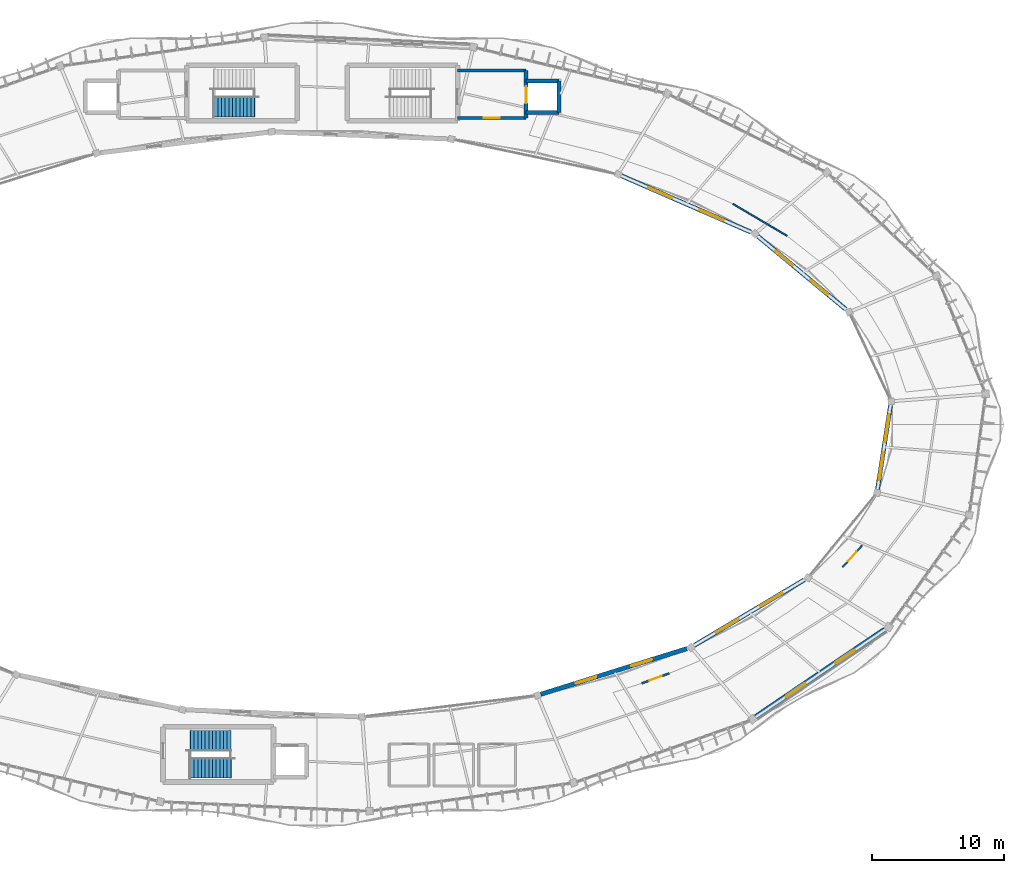
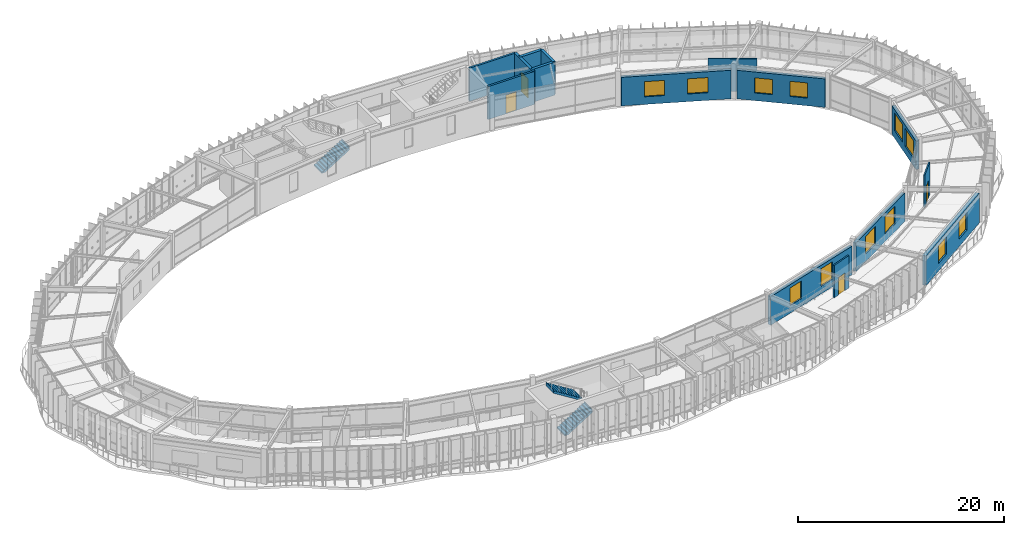
# One storey, part 69 of 79: 15 walls, 12 windows, 4 doors, 3 stair flights, 16 openings, 2 elements without a shape of their own.
"""IFC4 building model written with IfcOpenShell, lengths in metres."""

from ifc_helpers import new_model, si_unit, direction, frame, frame_2d, origin, place, context, subcontext, project, spatial, polyline, rectangle, outline, extrude, material, layer, layer_set, type_object, element, fill, aggregate, save


model = new_model("IFC4")

# Units and contexts
model_context = context("Model", 3, precision=1e-05, world=origin(), true_north=direction((0.0, 1.0)))
body_context = subcontext(model_context, "Body", "Model", "MODEL_VIEW")
ifc_project = project(units=[si_unit("LENGTHUNIT", "METRE"), si_unit("AREAUNIT", "SQUARE_METRE"), si_unit("VOLUMEUNIT", "CUBIC_METRE"), si_unit("PLANEANGLEUNIT", "RADIAN"), si_unit("MASSUNIT", "GRAM", prefix="KILO"), si_unit("THERMODYNAMICTEMPERATUREUNIT", "KELVIN"), si_unit("POWERUNIT", "WATT")], contexts=[model_context])

# Site, building, storey
site_placement = place(None, origin())
site = spatial("IfcSite", under=ifc_project, at=site_placement, CompositionType="ELEMENT")
building_placement = place(site_placement, origin())
building = spatial("IfcBuilding", under=site, at=building_placement, Name="Darbajah Civic Hall", CompositionType="ELEMENT")
storey_placement = place(building_placement, frame((0.0, 0.0, 22.199951171875)))
storey = spatial("IfcBuildingStorey", under=building, at=storey_placement, Name="L05", CompositionType="ELEMENT", Elevation=22.199951171875)

# Wall, opening, door
ifc_material_1 = material(Name="Concrete C45/55", Category="concrete")
ifc_layer_1 = layer(ifc_material_1, 0.300048828125, Name="Concrete C45/55")
ifc_layer_set_1 = layer_set([ifc_layer_1], Name="Concrete C45/55")
wall_type_1 = type_object("IfcWallType", Name="Core Shear Wall 300mm", PredefinedType="SHEAR", material=ifc_layer_set_1)
wall_1_placement = place(storey_placement, frame((105.0, 113.10009765625, 0.0), z_axis=(0.0, 0.0, 1.0), x_axis=(0.0, 1.0, 0.0)))
wall_1 = element("IfcWall", 1, at=wall_1_placement, inside=storey, type_object=wall_type_1, Name="L05 firefighting lobby C02 wall E", PredefinedType="SHEAR", context=body_context, shape_type="SweptSolid", body=[
    extrude(rectangle(XDim=3.599853515625, YDim=0.300048828125, at=frame_2d((1.7998046875, 0.0))), origin(), (0.0, 0.0, 1.0), 3.920166015625),
])
opening_1_placement = place(wall_1_placement, frame((1.10009765625, 0.0, 0.0)))
opening_1 = element("IfcOpeningElement", 2, at=opening_1_placement, cuts=wall_1, Name="Opening LD-0041", PredefinedType="OPENING", context=body_context, shape_type="SweptSolid", body=[
    extrude(rectangle(XDim=1.300048828125, YDim=2.300048828125, at=frame_2d((0.64990234375, 1.14990234375))), frame((0.0, 0.159912109375, 0.0), z_axis=(0.0, -1.0, 0.0), x_axis=(1.0, 0.0, 0.0)), (0.0, 0.0, 1.0), 0.320068359375),
])
ifc_material_2 = material(Name="Firefighting Lift Landing Door")
door_type_1 = type_object("IfcDoorType", Name="Lift Landing Door 1300x2300", OperationType="SLIDING_TO_LEFT", PredefinedType="DOOR", material=ifc_material_2)
door_1_placement = place(opening_1_placement, origin())
door_1 = element("IfcDoor", 3, at=door_1_placement, inside=storey, type_object=door_type_1, Name="L05 firefighting lift FL2 landing door LD-0041", OperationType="SLIDING_TO_LEFT", OverallHeight=2.300048828125, OverallWidth=1.300048828125, PredefinedType="DOOR", context=body_context, shape_type="SweptSolid", body=[
    extrude(rectangle(XDim=1.300048828125, YDim=2.300048828125, at=frame_2d((0.64990234375, 1.14990234375))), frame((0.0, 0.02490234375, 0.0), z_axis=(0.0, -1.0, 0.0), x_axis=(1.0, 0.0, 0.0)), (0.0, 0.0, 1.0), 0.050048828125),
])
fill(opening_1, door_1)

# Walls
for number, where, z_axis, x_axis, name in (
    (4, (107.5, 115.89990234375, 0.0), (0.0, 0.0, 1.0), (-1.0, 0.0, 0.0), "L05 lift FL2 shaft wall N"),
    (5, (105.0, 113.5, 0.0), (0.0, 0.0, 1.0), (1.0, 0.0, 0.0), "L05 lift FL2 shaft wall S"),
):
    element("IfcWall", number, at=place(storey_placement, frame(where, z_axis=z_axis, x_axis=x_axis)), inside=storey, type_object=wall_type_1, Name=name, PredefinedType="SHEAR", context=body_context, shape_type="SweptSolid", body=[
        extrude(rectangle(XDim=2.5, YDim=0.300048828125, at=frame_2d((1.25, 0.0))), origin(), (0.0, 0.0, 1.0), 3.920166015625),
    ])
wall_2_placement = place(storey_placement, frame((107.5, 113.5, 0.0), z_axis=(0.0, 0.0, 1.0), x_axis=(0.0, 1.0, 0.0)))
element("IfcWall", 6, at=wall_2_placement, inside=storey, type_object=wall_type_1, Name="L05 lift FL2 shaft wall OUT", PredefinedType="SHEAR", context=body_context, shape_type="SweptSolid", body=[
    extrude(rectangle(XDim=2.39990234375, YDim=0.300048828125, at=frame_2d((1.199951171875, 0.0))), origin(), (0.0, 0.0, 1.0), 3.920166015625),
])

# Wall, openings, windows
ifc_material_3 = material(Name="Qatari Desert Limestone Ashlar", Category="masonry")
ifc_layer_2 = layer(ifc_material_3, 0.340087890625, Name="Qatari Desert Limestone Ashlar")
ifc_layer_set_2 = layer_set([ifc_layer_2], Name="Qatari Desert Limestone Ashlar")
wall_type_2 = type_object("IfcWallType", Name="Exterior Wall 340mm", PredefinedType="SOLIDWALL", material=ifc_layer_set_2)
wall_3_placement = place(storey_placement, frame((129.3046875, 98.55078125, 0.0), z_axis=(0.0, 0.0, 1.0), x_axis=(-0.769161228706, 0.639054774066, 0.0)))
wall_3 = element("IfcWall", 7, at=wall_3_placement, inside=storey, type_object=wall_type_2, Name="L05 exterior wall EW-340", PredefinedType="SOLIDWALL", context=body_context, shape_type="SweptSolid", body=[
    extrude(rectangle(XDim=8.6787109375, YDim=0.340087890625, at=frame_2d((4.33935546875, 0.0))), origin(), (0.0, 0.0, 1.0), 3.386962890625),
])
opening_2_placement = place(wall_3_placement, frame((1.72607421875, 0.0, 0.89990234375)))
opening_2 = element("IfcOpeningElement", 8, at=opening_2_placement, cuts=wall_3, Name="Opening WN-20", PredefinedType="OPENING", context=body_context, shape_type="SweptSolid", body=[
    extrude(rectangle(XDim=1.75, YDim=1.800048828125, at=frame_2d((0.875, 0.89990234375))), frame((0.0, 0.179931640625, 0.0), z_axis=(0.0, -1.0, 0.0), x_axis=(1.0, 0.0, 0.0)), (0.0, 0.0, 1.0), 0.360107421875),
])
opening_3_placement = place(wall_3_placement, frame((5.202392578125, 0.0, 0.89990234375)))
opening_3 = element("IfcOpeningElement", 9, at=opening_3_placement, cuts=wall_3, Name="Opening WN-20", PredefinedType="OPENING", context=body_context, shape_type="SweptSolid", body=[
    extrude(rectangle(XDim=1.75, YDim=1.800048828125, at=frame_2d((0.875, 0.89990234375))), frame((0.0, 0.179931640625, 0.0), z_axis=(0.0, -1.0, 0.0), x_axis=(1.0, 0.0, 0.0)), (0.0, 0.0, 1.0), 0.360107421875),
])
ifc_material_4 = material(Name="Low-E Solar Control Double Glazing", Category="glass")
window_type_1 = type_object("IfcWindowType", Name="Facade Window 1750x1800", PartitioningType="DOUBLE_PANEL_VERTICAL", PredefinedType="WINDOW", material=ifc_material_4)
window_1_placement = place(opening_2_placement, origin())
window_1 = element("IfcWindow", 10, at=window_1_placement, inside=storey, type_object=window_type_1, Name="L05 facade window WN-20", OverallHeight=1.800048828125, OverallWidth=1.75, PartitioningType="SINGLE_PANEL", PredefinedType="WINDOW", context=body_context, shape_type="SweptSolid", body=[
    extrude(rectangle(XDim=1.75, YDim=1.800048828125, at=frame_2d((0.875, 0.89990234375))), frame((0.0, 0.030029296875, 0.0), z_axis=(0.0, -1.0, 0.0), x_axis=(1.0, 0.0, 0.0)), (0.0, 0.0, 1.0), 0.06005859375),
])
fill(opening_2, window_1)
window_2_placement = place(opening_3_placement, origin())
window_2 = element("IfcWindow", 11, at=window_2_placement, inside=storey, type_object=window_type_1, Name="L05 facade window WN-20", OverallHeight=1.800048828125, OverallWidth=1.75, PartitioningType="SINGLE_PANEL", PredefinedType="WINDOW", context=body_context, shape_type="SweptSolid", body=[
    extrude(rectangle(XDim=1.75, YDim=1.800048828125, at=frame_2d((0.875, 0.89990234375))), frame((0.0, 0.030029296875, 0.0), z_axis=(0.0, -1.0, 0.0), x_axis=(1.0, 0.0, 0.0)), (0.0, 0.0, 1.0), 0.06005859375),
])
fill(opening_3, window_2)

wall_4_placement = place(storey_placement, frame((122.097412109375, 104.416748046875, 0.0), z_axis=(0.0, 0.0, 1.0), x_axis=(-0.917052712132, 0.398766000522, 0.0)))
wall_4 = element("IfcWall", 12, at=wall_4_placement, inside=storey, type_object=wall_type_2, Name="L05 exterior wall EW-340", PredefinedType="SOLIDWALL", context=body_context, shape_type="SweptSolid", body=[
    extrude(rectangle(XDim=10.742431640625, YDim=0.340087890625, at=frame_2d((5.37109375, 0.0))), origin(), (0.0, 0.0, 1.0), 3.386962890625),
])
opening_4_placement = place(wall_4_placement, frame((2.247314453125, 0.0, 0.89990234375)))
opening_4 = element("IfcOpeningElement", 13, at=opening_4_placement, cuts=wall_4, Name="Opening WN-21", PredefinedType="OPENING", context=body_context, shape_type="SweptSolid", body=[
    extrude(rectangle(XDim=2.0, YDim=1.800048828125, at=frame_2d((1.0, 0.89990234375))), frame((0.0, 0.179931640625, 0.0), z_axis=(0.0, -1.0, 0.0), x_axis=(1.0, 0.0, 0.0)), (0.0, 0.0, 1.0), 0.360107421875),
])
opening_5_placement = place(wall_4_placement, frame((6.494873046875, 0.0, 0.89990234375)))
opening_5 = element("IfcOpeningElement", 14, at=opening_5_placement, cuts=wall_4, Name="Opening WN-21", PredefinedType="OPENING", context=body_context, shape_type="SweptSolid", body=[
    extrude(rectangle(XDim=2.0, YDim=1.800048828125, at=frame_2d((1.0, 0.89990234375))), frame((0.0, 0.179931640625, 0.0), z_axis=(0.0, -1.0, 0.0), x_axis=(1.0, 0.0, 0.0)), (0.0, 0.0, 1.0), 0.360107421875),
])
window_type_2 = type_object("IfcWindowType", Name="Facade Window 2000x1800", PartitioningType="DOUBLE_PANEL_VERTICAL", PredefinedType="WINDOW", material=ifc_material_4)
window_3_placement = place(opening_4_placement, origin())
window_3 = element("IfcWindow", 15, at=window_3_placement, inside=storey, type_object=window_type_2, Name="L05 facade window WN-21", OverallHeight=1.800048828125, OverallWidth=2.0, PartitioningType="SINGLE_PANEL", PredefinedType="WINDOW", context=body_context, shape_type="SweptSolid", body=[
    extrude(rectangle(XDim=2.0, YDim=1.800048828125, at=frame_2d((1.0, 0.89990234375))), frame((0.0, 0.030029296875, 0.0), z_axis=(0.0, -1.0, 0.0), x_axis=(1.0, 0.0, 0.0)), (0.0, 0.0, 1.0), 0.06005859375),
])
fill(opening_4, window_3)
window_4_placement = place(opening_5_placement, origin())
window_4 = element("IfcWindow", 16, at=window_4_placement, inside=storey, type_object=window_type_2, Name="L05 facade window WN-21", OverallHeight=1.800048828125, OverallWidth=2.0, PartitioningType="SINGLE_PANEL", PredefinedType="WINDOW", context=body_context, shape_type="SweptSolid", body=[
    extrude(rectangle(XDim=2.0, YDim=1.800048828125, at=frame_2d((1.0, 0.89990234375))), frame((0.0, 0.030029296875, 0.0), z_axis=(0.0, -1.0, 0.0), x_axis=(1.0, 0.0, 0.0)), (0.0, 0.0, 1.0), 0.06005859375),
])
fill(opening_5, window_4)

wall_5_placement = place(storey_placement, frame((106.12255859375, 69.279052734375, 0.0), z_axis=(0.0, 0.0, 1.0), x_axis=(0.95461987146, 0.297826964887, 0.0)))
wall_5 = element("IfcWall", 17, at=wall_5_placement, inside=storey, type_object=wall_type_2, Name="L05 exterior wall EW-340", PredefinedType="SOLIDWALL", context=body_context, shape_type="SweptSolid", body=[
    extrude(rectangle(XDim=11.63623046875, YDim=0.340087890625, at=frame_2d((5.818115234375, 0.0))), origin(), (0.0, 0.0, 1.0), 3.386962890625),
])
opening_6_placement = place(wall_5_placement, frame((2.77880859375, 0.0, 0.89990234375)))
opening_6 = element("IfcOpeningElement", 18, at=opening_6_placement, cuts=wall_5, Name="Opening WN-04", PredefinedType="OPENING", context=body_context, shape_type="SweptSolid", body=[
    extrude(rectangle(XDim=1.64990234375, YDim=2.10009765625, at=frame_2d((0.824951171875, 1.050048828125))), frame((0.0, 0.179931640625, 0.0), z_axis=(0.0, -1.0, 0.0), x_axis=(1.0, 0.0, 0.0)), (0.0, 0.0, 1.0), 0.360107421875),
])
opening_7_placement = place(wall_5_placement, frame((7.20751953125, 0.0, 0.89990234375)))
opening_7 = element("IfcOpeningElement", 19, at=opening_7_placement, cuts=wall_5, Name="Opening WN-04", PredefinedType="OPENING", context=body_context, shape_type="SweptSolid", body=[
    extrude(rectangle(XDim=1.64990234375, YDim=2.10009765625, at=frame_2d((0.824951171875, 1.050048828125))), frame((0.0, 0.179931640625, 0.0), z_axis=(0.0, -1.0, 0.0), x_axis=(1.0, 0.0, 0.0)), (0.0, 0.0, 1.0), 0.360107421875),
])
window_type_3 = type_object("IfcWindowType", Name="Facade Window 1650x2100", PartitioningType="DOUBLE_PANEL_VERTICAL", PredefinedType="WINDOW", material=ifc_material_4)
window_5_placement = place(opening_6_placement, origin())
window_5 = element("IfcWindow", 20, at=window_5_placement, inside=storey, type_object=window_type_3, Name="L05 facade window WN-04", OverallHeight=2.10009765625, OverallWidth=1.64990234375, PartitioningType="SINGLE_PANEL", PredefinedType="WINDOW", context=body_context, shape_type="SweptSolid", body=[
    extrude(rectangle(XDim=1.64990234375, YDim=2.10009765625, at=frame_2d((0.824951171875, 1.050048828125))), frame((0.0, 0.030029296875, 0.0), z_axis=(0.0, -1.0, 0.0), x_axis=(1.0, 0.0, 0.0)), (0.0, 0.0, 1.0), 0.06005859375),
])
fill(opening_6, window_5)
window_6_placement = place(opening_7_placement, origin())
window_6 = element("IfcWindow", 21, at=window_6_placement, inside=storey, type_object=window_type_3, Name="L05 facade window WN-04", OverallHeight=2.10009765625, OverallWidth=1.64990234375, PartitioningType="SINGLE_PANEL", PredefinedType="WINDOW", context=body_context, shape_type="SweptSolid", body=[
    extrude(rectangle(XDim=1.64990234375, YDim=2.10009765625, at=frame_2d((0.824951171875, 1.050048828125))), frame((0.0, 0.030029296875, 0.0), z_axis=(0.0, -1.0, 0.0), x_axis=(1.0, 0.0, 0.0)), (0.0, 0.0, 1.0), 0.06005859375),
])
fill(opening_7, window_6)

wall_6_placement = place(storey_placement, frame((117.79541015625, 72.99169921875, 0.0), z_axis=(0.0, 0.0, 1.0), x_axis=(0.858957160362, 0.51204745548, 0.0)))
wall_6 = element("IfcWall", 22, at=wall_6_placement, inside=storey, type_object=wall_type_2, Name="L05 exterior wall EW-340", PredefinedType="SOLIDWALL", context=body_context, shape_type="SweptSolid", body=[
    extrude(rectangle(XDim=9.73095703125, YDim=0.340087890625, at=frame_2d((4.865478515625, 0.0))), origin(), (0.0, 0.0, 1.0), 3.386962890625),
])
opening_8_placement = place(wall_6_placement, frame((1.910400390625, 0.0, 0.89990234375)))
opening_8 = element("IfcOpeningElement", 23, at=opening_8_placement, cuts=wall_6, Name="Opening WN-06", PredefinedType="OPENING", context=body_context, shape_type="SweptSolid", body=[
    extrude(rectangle(XDim=2.0, YDim=2.10009765625, at=frame_2d((1.0, 1.050048828125))), frame((0.0, 0.179931640625, 0.0), z_axis=(0.0, -1.0, 0.0), x_axis=(1.0, 0.0, 0.0)), (0.0, 0.0, 1.0), 0.360107421875),
])
opening_9_placement = place(wall_6_placement, frame((5.82080078125, 0.0, 0.89990234375)))
opening_9 = element("IfcOpeningElement", 24, at=opening_9_placement, cuts=wall_6, Name="Opening WN-06", PredefinedType="OPENING", context=body_context, shape_type="SweptSolid", body=[
    extrude(rectangle(XDim=2.0, YDim=2.10009765625, at=frame_2d((1.0, 1.050048828125))), frame((0.0, 0.179931640625, 0.0), z_axis=(0.0, -1.0, 0.0), x_axis=(1.0, 0.0, 0.0)), (0.0, 0.0, 1.0), 0.360107421875),
])
window_type_4 = type_object("IfcWindowType", Name="Facade Window 2000x2100", PartitioningType="DOUBLE_PANEL_VERTICAL", PredefinedType="WINDOW", material=ifc_material_4)
window_7_placement = place(opening_8_placement, origin())
window_7 = element("IfcWindow", 25, at=window_7_placement, inside=storey, type_object=window_type_4, Name="L05 facade window WN-06", OverallHeight=2.10009765625, OverallWidth=2.0, PartitioningType="SINGLE_PANEL", PredefinedType="WINDOW", context=body_context, shape_type="SweptSolid", body=[
    extrude(rectangle(XDim=2.0, YDim=2.10009765625, at=frame_2d((1.0, 1.050048828125))), frame((0.0, 0.030029296875, 0.0), z_axis=(0.0, -1.0, 0.0), x_axis=(1.0, 0.0, 0.0)), (0.0, 0.0, 1.0), 0.06005859375),
])
fill(opening_8, window_7)
window_8_placement = place(opening_9_placement, origin())
window_8 = element("IfcWindow", 26, at=window_8_placement, inside=storey, type_object=window_type_4, Name="L05 facade window WN-06", OverallHeight=2.10009765625, OverallWidth=2.0, PartitioningType="SINGLE_PANEL", PredefinedType="WINDOW", context=body_context, shape_type="SweptSolid", body=[
    extrude(rectangle(XDim=2.0, YDim=2.10009765625, at=frame_2d((1.0, 1.050048828125))), frame((0.0, 0.030029296875, 0.0), z_axis=(0.0, -1.0, 0.0), x_axis=(1.0, 0.0, 0.0)), (0.0, 0.0, 1.0), 0.06005859375),
])
fill(opening_9, window_8)

wall_7_placement = place(storey_placement, frame((131.731201171875, 84.86279296875, 0.0), z_axis=(0.0, 0.0, 1.0), x_axis=(0.152786595481, 0.988259204987, 0.0)))
wall_7 = element("IfcWall", 27, at=wall_7_placement, inside=storey, type_object=wall_type_2, Name="L05 exterior wall EW-340", PredefinedType="SOLIDWALL", context=body_context, shape_type="SweptSolid", body=[
    extrude(rectangle(XDim=6.463623046875, YDim=0.340087890625, at=frame_2d((3.23193359375, 0.0))), origin(), (0.0, 0.0, 1.0), 3.386962890625),
])
opening_10_placement = place(wall_7_placement, frame((0.68798828125, 0.0, 0.89990234375)))
opening_10 = element("IfcOpeningElement", 28, at=opening_10_placement, cuts=wall_7, Name="Opening WN-07", PredefinedType="OPENING", context=body_context, shape_type="SweptSolid", body=[
    extrude(rectangle(XDim=2.199951171875, YDim=2.10009765625, at=frame_2d((1.10009765625, 1.050048828125))), frame((0.0, 0.179931640625, 0.0), z_axis=(0.0, -1.0, 0.0), x_axis=(1.0, 0.0, 0.0)), (0.0, 0.0, 1.0), 0.360107421875),
])
opening_11_placement = place(wall_7_placement, frame((3.57568359375, 0.0, 0.89990234375)))
opening_11 = element("IfcOpeningElement", 29, at=opening_11_placement, cuts=wall_7, Name="Opening WN-07", PredefinedType="OPENING", context=body_context, shape_type="SweptSolid", body=[
    extrude(rectangle(XDim=2.199951171875, YDim=2.10009765625, at=frame_2d((1.10009765625, 1.050048828125))), frame((0.0, 0.179931640625, 0.0), z_axis=(0.0, -1.0, 0.0), x_axis=(1.0, 0.0, 0.0)), (0.0, 0.0, 1.0), 0.360107421875),
])
window_type_5 = type_object("IfcWindowType", Name="Facade Window 2200x2100", PartitioningType="DOUBLE_PANEL_VERTICAL", PredefinedType="WINDOW", material=ifc_material_4)
window_9_placement = place(opening_10_placement, origin())
window_9 = element("IfcWindow", 30, at=window_9_placement, inside=storey, type_object=window_type_5, Name="L05 facade window WN-07", OverallHeight=2.10009765625, OverallWidth=2.199951171875, PartitioningType="SINGLE_PANEL", PredefinedType="WINDOW", context=body_context, shape_type="SweptSolid", body=[
    extrude(rectangle(XDim=2.199951171875, YDim=2.10009765625, at=frame_2d((1.10009765625, 1.050048828125))), frame((0.0, 0.030029296875, 0.0), z_axis=(0.0, -1.0, 0.0), x_axis=(1.0, 0.0, 0.0)), (0.0, 0.0, 1.0), 0.06005859375),
])
fill(opening_10, window_9)
window_10_placement = place(opening_11_placement, origin())
window_10 = element("IfcWindow", 31, at=window_10_placement, inside=storey, type_object=window_type_5, Name="L05 facade window WN-07", OverallHeight=2.10009765625, OverallWidth=2.199951171875, PartitioningType="SINGLE_PANEL", PredefinedType="WINDOW", context=body_context, shape_type="SweptSolid", body=[
    extrude(rectangle(XDim=2.199951171875, YDim=2.10009765625, at=frame_2d((1.10009765625, 1.050048828125))), frame((0.0, 0.030029296875, 0.0), z_axis=(0.0, -1.0, 0.0), x_axis=(1.0, 0.0, 0.0)), (0.0, 0.0, 1.0), 0.06005859375),
])
fill(opening_11, window_10)

ifc_layer_3 = layer(ifc_material_3, 0.419921875, Name="Qatari Desert Limestone Ashlar")
ifc_layer_set_3 = layer_set([ifc_layer_3], Name="Qatari Desert Limestone Ashlar")
wall_type_3 = type_object("IfcWallType", Name="Exterior Wall 420mm", PredefinedType="SOLIDWALL", material=ifc_layer_set_3)
wall_8_placement = place(storey_placement, frame((122.47509765625, 67.53955078125, 0.0), z_axis=(0.0, 0.0, 1.0), x_axis=(0.827975189129, 0.560764733365, 0.0)))
wall_8 = element("IfcWall", 32, at=wall_8_placement, inside=storey, type_object=wall_type_3, Name="L05 exterior wall EW-420", PredefinedType="SOLIDWALL", context=body_context, shape_type="SweptSolid", body=[
    extrude(rectangle(XDim=11.84375, YDim=0.419921875, at=frame_2d((5.921875, 0.0))), origin(), (0.0, 0.0, 1.0), 3.52001953125),
])
opening_12_placement = place(wall_8_placement, frame((2.747802734375, 0.0, 0.89990234375)))
opening_12 = element("IfcOpeningElement", 33, at=opening_12_placement, cuts=wall_8, Name="Opening WN-05", PredefinedType="OPENING", context=body_context, shape_type="SweptSolid", body=[
    extrude(rectangle(XDim=1.800048828125, YDim=2.10009765625, at=frame_2d((0.89990234375, 1.050048828125))), frame((0.0, 0.219970703125, 0.0), z_axis=(0.0, -1.0, 0.0), x_axis=(1.0, 0.0, 0.0)), (0.0, 0.0, 1.0), 0.43994140625),
])
opening_13_placement = place(wall_8_placement, frame((7.2958984375, 0.0, 0.89990234375)))
opening_13 = element("IfcOpeningElement", 34, at=opening_13_placement, cuts=wall_8, Name="Opening WN-05", PredefinedType="OPENING", context=body_context, shape_type="SweptSolid", body=[
    extrude(rectangle(XDim=1.800048828125, YDim=2.10009765625, at=frame_2d((0.89990234375, 1.050048828125))), frame((0.0, 0.219970703125, 0.0), z_axis=(0.0, -1.0, 0.0), x_axis=(1.0, 0.0, 0.0)), (0.0, 0.0, 1.0), 0.43994140625),
])
window_type_6 = type_object("IfcWindowType", Name="Facade Window 1800x2100", PartitioningType="DOUBLE_PANEL_VERTICAL", PredefinedType="WINDOW", material=ifc_material_4)
window_11_placement = place(opening_12_placement, origin())
window_11 = element("IfcWindow", 35, at=window_11_placement, inside=storey, type_object=window_type_6, Name="L05 facade window WN-05", OverallHeight=2.10009765625, OverallWidth=1.800048828125, PartitioningType="SINGLE_PANEL", PredefinedType="WINDOW", context=body_context, shape_type="SweptSolid", body=[
    extrude(rectangle(XDim=1.800048828125, YDim=2.10009765625, at=frame_2d((0.89990234375, 1.050048828125))), frame((0.0, 0.030029296875, 0.0), z_axis=(0.0, -1.0, 0.0), x_axis=(1.0, 0.0, 0.0)), (0.0, 0.0, 1.0), 0.06005859375),
])
fill(opening_12, window_11)
window_12_placement = place(opening_13_placement, origin())
window_12 = element("IfcWindow", 36, at=window_12_placement, inside=storey, type_object=window_type_6, Name="L05 facade window WN-05", OverallHeight=2.10009765625, OverallWidth=1.800048828125, PartitioningType="SINGLE_PANEL", PredefinedType="WINDOW", context=body_context, shape_type="SweptSolid", body=[
    extrude(rectangle(XDim=1.800048828125, YDim=2.10009765625, at=frame_2d((0.89990234375, 1.050048828125))), frame((0.0, 0.030029296875, 0.0), z_axis=(0.0, -1.0, 0.0), x_axis=(1.0, 0.0, 0.0)), (0.0, 0.0, 1.0), 0.06005859375),
])
fill(opening_13, window_12)

# Wall, opening, door
ifc_layer_4 = layer(ifc_material_1, 0.219970703125, Name="Concrete C45/55")
ifc_layer_set_4 = layer_set([ifc_layer_4], Name="Concrete C45/55")
wall_type_4 = type_object("IfcWallType", Name="Firefighting Shaft Wall 220mm", PredefinedType="SOLIDWALL", material=ifc_layer_set_4)
wall_9_placement = place(storey_placement, frame((99.800048828125, 113.10009765625, 0.0), z_axis=(0.0, 0.0, 1.0), x_axis=(1.0, 0.0, 0.0)))
wall_9 = element("IfcWall", 37, at=wall_9_placement, inside=storey, type_object=wall_type_4, Name="L05 firefighting lobby C02 wall S", PredefinedType="SOLIDWALL", context=body_context, shape_type="SweptSolid", body=[
    extrude(rectangle(XDim=5.199951171875, YDim=0.219970703125, at=frame_2d((2.60009765625, 0.0))), origin(), (0.0, 0.0, 1.0), 3.920166015625),
])
opening_14_placement = place(wall_9_placement, frame((2.0, 0.0, 0.0)))
opening_14 = element("IfcOpeningElement", 38, at=opening_14_placement, cuts=wall_9, Name="Opening FD-0033", PredefinedType="OPENING", context=body_context, shape_type="SweptSolid", body=[
    extrude(rectangle(XDim=1.199951171875, YDim=2.199951171875, at=frame_2d((0.60009765625, 1.10009765625))), frame((0.0, 0.119873046875, 0.0), z_axis=(0.0, -1.0, 0.0), x_axis=(1.0, 0.0, 0.0)), (0.0, 0.0, 1.0), 0.239990234375),
])
ifc_material_5 = material(Name="Painted Hardwood Fire Door", Category="wood")
door_type_2 = type_object("IfcDoorType", Name="Interior Door 1200x2200", OperationType="NOTDEFINED", PredefinedType="DOOR", material=ifc_material_5)
door_2_placement = place(opening_14_placement, origin())
door_2 = element("IfcDoor", 39, at=door_2_placement, inside=storey, type_object=door_type_2, Name="L05 firefighting lobby C02 entrance door FD-0033", OperationType="SINGLE_SWING_RIGHT", OverallHeight=2.199951171875, OverallWidth=1.199951171875, PredefinedType="DOOR", context=body_context, shape_type="SweptSolid", body=[
    extrude(rectangle(XDim=1.199951171875, YDim=2.199951171875, at=frame_2d((0.60009765625, 1.10009765625))), frame((0.0, 0.02490234375, 0.0), z_axis=(0.0, -1.0, 0.0), x_axis=(1.0, 0.0, 0.0)), (0.0, 0.0, 1.0), 0.050048828125),
])
fill(opening_14, door_2)

# Walls
wall_10_placement = place(storey_placement, frame((105.0, 116.699951171875, 0.0), z_axis=(0.0, 0.0, 1.0), x_axis=(-1.0, 0.0, 0.0)))
element("IfcWall", 40, at=wall_10_placement, inside=storey, type_object=wall_type_4, Name="L05 firefighting lobby C02 wall N", PredefinedType="SOLIDWALL", context=body_context, shape_type="SweptSolid", body=[
    extrude(rectangle(XDim=5.199951171875, YDim=0.219970703125, at=frame_2d((2.60009765625, 0.0))), origin(), (0.0, 0.0, 1.0), 3.920166015625),
])
ifc_material_6 = material(Name="Acoustic Gypsum Partition")
ifc_layer_5 = layer(ifc_material_6, 0.114990234375, Name="Acoustic Gypsum Partition")
ifc_layer_set_5 = layer_set([ifc_layer_5], Name="Acoustic Gypsum Partition")
wall_type_5 = type_object("IfcWallType", Name="Interior Partition 115mm", PredefinedType="PARTITIONING", material=ifc_layer_set_5)
wall_11_placement = place(storey_placement, frame((124.840576171875, 104.13623046875, 0.0), z_axis=(0.0, 0.0, 1.0), x_axis=(-0.860434840892, 0.509560481768, 0.0)))
element("IfcWall", 41, at=wall_11_placement, inside=storey, type_object=wall_type_5, Name="L05 interior partition L05-V1-03", PredefinedType="PARTITIONING", context=body_context, shape_type="SweptSolid", body=[
    extrude(rectangle(XDim=4.758544921875, YDim=0.114990234375, at=frame_2d((2.37939453125, 0.0))), origin(), (0.0, 0.0, 1.0), 3.860107421875),
])

# Wall, opening, door
ifc_material_7 = material(Name="Gypsum Plasterboard on Steel Stud", Category="steel")
ifc_layer_6 = layer(ifc_material_7, 0.135009765625, Name="Gypsum Plasterboard on Steel Stud")
ifc_layer_set_6 = layer_set([ifc_layer_6], Name="Gypsum Plasterboard on Steel Stud")
wall_type_6 = type_object("IfcWallType", Name="Interior Partition 135mm", PredefinedType="PARTITIONING", material=ifc_layer_set_6)
wall_12_placement = place(storey_placement, frame((130.568603515625, 80.598388671875, 0.0), z_axis=(0.0, 0.0, 1.0), x_axis=(-0.669808611711, -0.742533786219, 0.0)))
wall_12 = element("IfcWall", 42, at=wall_12_placement, inside=storey, type_object=wall_type_6, Name="L05 interior partition L05-V1-02", PredefinedType="PARTITIONING", context=body_context, shape_type="SweptSolid", body=[
    extrude(rectangle(XDim=2.252685546875, YDim=0.135009765625, at=frame_2d((1.12646484375, 0.0))), origin(), (0.0, 0.0, 1.0), 3.860107421875),
])
opening_15_placement = place(wall_12_placement, frame((0.626220703125, 0.0, 0.0)))
opening_15 = element("IfcOpeningElement", 43, at=opening_15_placement, cuts=wall_12, Name="Opening D-0258", PredefinedType="OPENING", context=body_context, shape_type="SweptSolid", body=[
    extrude(rectangle(XDim=1.0, YDim=2.10009765625, at=frame_2d((0.5, 1.050048828125))), frame((0.0, 0.077392578125, 0.0), z_axis=(0.0, -1.0, 0.0), x_axis=(1.0, 0.0, 0.0)), (0.0, 0.0, 1.0), 0.155029296875),
])
ifc_material_8 = material(Name="Oak Suite Door")
door_type_3 = type_object("IfcDoorType", Name="Interior Door 1000x2100", OperationType="NOTDEFINED", PredefinedType="DOOR", material=ifc_material_8)
door_3_placement = place(opening_15_placement, origin())
door_3 = element("IfcDoor", 44, at=door_3_placement, inside=storey, type_object=door_type_3, Name="L05 L05-V1-02 door D-0258", OperationType="SINGLE_SWING_LEFT", OverallHeight=2.10009765625, OverallWidth=1.0, PredefinedType="DOOR", context=body_context, shape_type="SweptSolid", body=[
    extrude(rectangle(XDim=1.0, YDim=2.10009765625, at=frame_2d((0.5, 1.050048828125))), frame((0.0, 0.02490234375, 0.0), z_axis=(0.0, -1.0, 0.0), x_axis=(1.0, 0.0, 0.0)), (0.0, 0.0, 1.0), 0.050048828125),
])
fill(opening_15, door_3)

ifc_layer_7 = layer(ifc_material_7, 0.159912109375, Name="Gypsum Plasterboard on Steel Stud")
ifc_layer_set_7 = layer_set([ifc_layer_7], Name="Gypsum Plasterboard on Steel Stud")
wall_type_7 = type_object("IfcWallType", Name="Interior Partition 160mm", PredefinedType="PARTITIONING", material=ifc_layer_set_7)
wall_13_placement = place(storey_placement, frame((115.896728515625, 70.869140625, 0.0), z_axis=(0.0, 0.0, 1.0), x_axis=(-0.939588767951, -0.342305341969, 0.0)))
wall_13 = element("IfcWall", 45, at=wall_13_placement, inside=storey, type_object=wall_type_7, Name="L05 interior partition L05-V1-01", PredefinedType="PARTITIONING", context=body_context, shape_type="SweptSolid", body=[
    extrude(rectangle(XDim=2.23095703125, YDim=0.159912109375, at=frame_2d((1.115478515625, 0.0))), origin(), (0.0, 0.0, 1.0), 3.860107421875),
])
opening_16_placement = place(wall_13_placement, frame((0.615478515625, 0.0, 0.0)))
opening_16 = element("IfcOpeningElement", 46, at=opening_16_placement, cuts=wall_13, Name="Opening D-0257", PredefinedType="OPENING", context=body_context, shape_type="SweptSolid", body=[
    extrude(rectangle(XDim=1.0, YDim=2.10009765625, at=frame_2d((0.5, 1.050048828125))), frame((0.0, 0.08984375, 0.0), z_axis=(0.0, -1.0, 0.0), x_axis=(1.0, 0.0, 0.0)), (0.0, 0.0, 1.0), 0.179931640625),
])
door_4_placement = place(opening_16_placement, origin())
door_4 = element("IfcDoor", 47, at=door_4_placement, inside=storey, type_object=door_type_3, Name="L05 L05-V1-01 door D-0257", OperationType="SINGLE_SWING_RIGHT", OverallHeight=2.10009765625, OverallWidth=1.0, PredefinedType="DOOR", context=body_context, shape_type="SweptSolid", body=[
    extrude(rectangle(XDim=1.0, YDim=2.10009765625, at=frame_2d((0.5, 1.050048828125))), frame((0.0, 0.02490234375, 0.0), z_axis=(0.0, -1.0, 0.0), x_axis=(1.0, 0.0, 0.0)), (0.0, 0.0, 1.0), 0.050048828125),
])
fill(opening_16, door_4)

# Stair, stair flight
stair_type = type_object("IfcStairType", Name="Half Turn Stair 1650x4200", PredefinedType="HALF_TURN_STAIR", material=ifc_material_1)
stair_1_placement = place(storey_placement, origin())
stair_1 = element("IfcStair", 48, at=stair_1_placement, inside=storey, type_object=stair_type, Name="L05 enclosed exit stair ST01", PredefinedType="HALF_TURN_STAIR")
ifc_material_9 = material(Name="Precast Concrete C45/55", Category="concrete")
stair_flight_type = type_object("IfcStairFlightType", Name="Stair Flight 12R 280G", PredefinedType="STRAIGHT", material=ifc_material_9)
stair_flight_1_placement = place(storey_placement, frame((81.280029296875, 113.965087890625, 0.0), z_axis=(0.0, 0.0, 1.0), x_axis=(1.0, 0.0, 0.0)))
stair_flight_1 = element("IfcStairFlight", 49, at=stair_flight_1_placement, type_object=stair_flight_type, Name="ST01 L05 lower flight", NumberOfRisers=12, NumberOfTreads=11, PredefinedType="STRAIGHT", RiserHeight=0.175, TreadLength=0.28, context=body_context, shape_type="SweptSolid", body=[
    extrude(outline(polyline([(0.0, 0.0), (0.0, 0.175048828125), (0.280029296875, 0.175048828125), (0.280029296875, 0.35009765625), (0.56005859375, 0.35009765625), (0.56005859375, 0.52490234375), (0.840087890625, 0.52490234375), (0.840087890625, 0.699951171875), (1.1201171875, 0.699951171875), (1.1201171875, 0.875), (1.39990234375, 0.875), (1.39990234375, 1.050048828125), (1.679931640625, 1.050048828125), (1.679931640625, 1.22509765625), (1.9599609375, 1.22509765625), (1.9599609375, 1.39990234375), (2.239990234375, 1.39990234375), (2.239990234375, 1.574951171875), (2.52001953125, 1.574951171875), (2.52001953125, 1.75), (2.800048828125, 1.75), (2.800048828125, 1.925048828125), (3.080078125, 1.925048828125), (3.080078125, 2.10009765625), (3.1201171875, 2.10009765625), (3.1201171875, 1.712890625), (0.37939453125, 0.0), (0.0, 0.0)])), frame((0.0, 0.77490234375, 0.0), z_axis=(0.0, -1.0, 0.0), x_axis=(1.0, 0.0, 0.0)), (0.0, 0.0, 1.0), 1.550048828125),
])
aggregate(stair_1, [stair_flight_1])

# Stair, stair flights
stair_2_placement = place(storey_placement, origin())
stair_2 = element("IfcStair", 50, at=stair_2_placement, inside=storey, type_object=stair_type, Name="L05 enclosed exit stair ST03", PredefinedType="HALF_TURN_STAIR")
stair_flight_2_placement = place(storey_placement, frame((79.47998046875, 63.6650390625, 0.0), z_axis=(0.0, 0.0, 1.0), x_axis=(1.0, 0.0, 0.0)))
stair_flight_2 = element("IfcStairFlight", 51, at=stair_flight_2_placement, type_object=stair_flight_type, Name="ST03 L05 lower flight", NumberOfRisers=12, NumberOfTreads=11, PredefinedType="STRAIGHT", RiserHeight=0.175, TreadLength=0.28, context=body_context, shape_type="SweptSolid", body=[
    extrude(outline(polyline([(0.0, 0.0), (0.0, 0.175048828125), (0.280029296875, 0.175048828125), (0.280029296875, 0.35009765625), (0.56005859375, 0.35009765625), (0.56005859375, 0.52490234375), (0.840087890625, 0.52490234375), (0.840087890625, 0.699951171875), (1.1201171875, 0.699951171875), (1.1201171875, 0.875), (1.39990234375, 0.875), (1.39990234375, 1.050048828125), (1.679931640625, 1.050048828125), (1.679931640625, 1.22509765625), (1.9599609375, 1.22509765625), (1.9599609375, 1.39990234375), (2.239990234375, 1.39990234375), (2.239990234375, 1.574951171875), (2.52001953125, 1.574951171875), (2.52001953125, 1.75), (2.800048828125, 1.75), (2.800048828125, 1.925048828125), (3.080078125, 1.925048828125), (3.080078125, 2.10009765625), (3.1201171875, 2.10009765625), (3.1201171875, 1.712890625), (0.37939453125, 0.0), (0.0, 0.0)])), frame((0.0, 0.77490234375, 0.0), z_axis=(0.0, -1.0, 0.0), x_axis=(1.0, 0.0, 0.0)), (0.0, 0.0, 1.0), 1.550048828125),
])
stair_flight_3_placement = place(storey_placement, frame((82.56005859375, 65.735107421875, 2.10009765625), z_axis=(0.0, 0.0, 1.0), x_axis=(-1.0, 0.0, 0.0)))
stair_flight_3 = element("IfcStairFlight", 52, at=stair_flight_3_placement, type_object=stair_flight_type, Name="ST03 L05 upper flight", NumberOfRisers=12, NumberOfTreads=11, PredefinedType="STRAIGHT", RiserHeight=0.175, TreadLength=0.28, context=body_context, shape_type="SweptSolid", body=[
    extrude(outline(polyline([(0.0, 0.0), (0.0, 0.175048828125), (0.280029296875, 0.175048828125), (0.280029296875, 0.35009765625), (0.56005859375, 0.35009765625), (0.56005859375, 0.52490234375), (0.840087890625, 0.52490234375), (0.840087890625, 0.699951171875), (1.1201171875, 0.699951171875), (1.1201171875, 0.875), (1.39990234375, 0.875), (1.39990234375, 1.050048828125), (1.679931640625, 1.050048828125), (1.679931640625, 1.22509765625), (1.9599609375, 1.22509765625), (1.9599609375, 1.39990234375), (2.239990234375, 1.39990234375), (2.239990234375, 1.574951171875), (2.52001953125, 1.574951171875), (2.52001953125, 1.75), (2.800048828125, 1.75), (2.800048828125, 1.925048828125), (3.080078125, 1.925048828125), (3.080078125, 2.10009765625), (3.1201171875, 2.10009765625), (3.1201171875, 1.712890625), (0.37939453125, 0.0), (0.0, 0.0)])), frame((0.0, 0.77490234375, 0.0), z_axis=(0.0, -1.0, 0.0), x_axis=(1.0, 0.0, 0.0)), (0.0, 0.0, 1.0), 1.550048828125),
])
aggregate(stair_2, [stair_flight_2, stair_flight_3])

save(model, "model.ifc")
